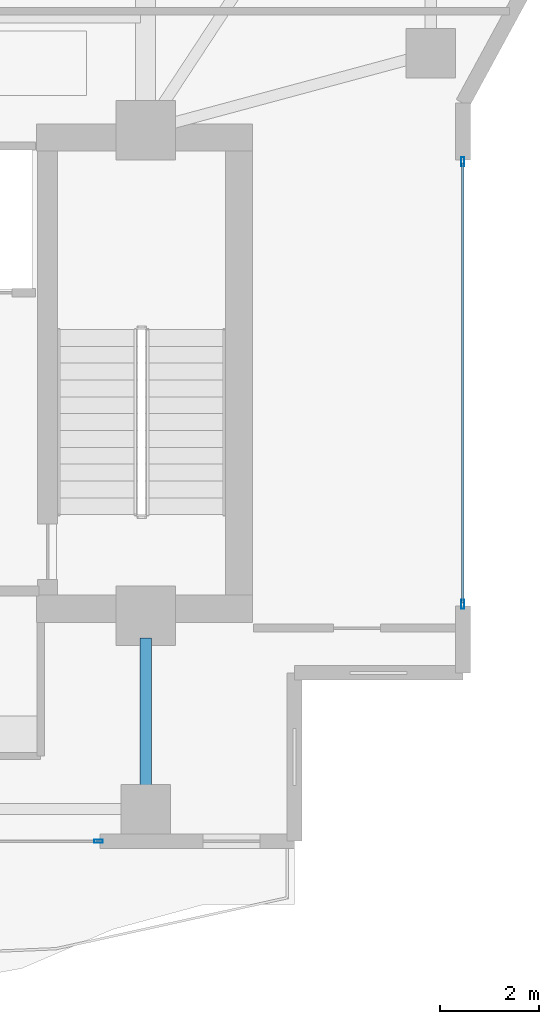
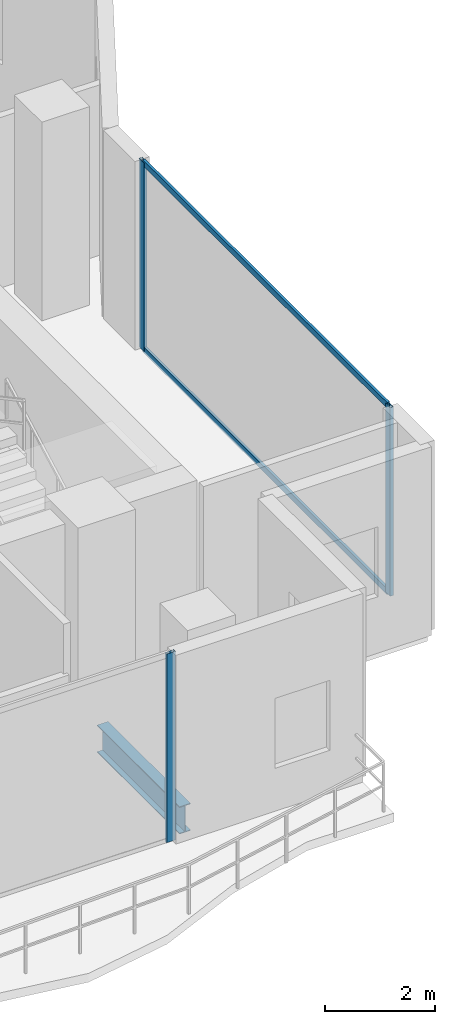
# One storey, part 8 of 24: 5 members, 1 beam, 2 elements without a shape of their own.
"""IFC4 building model written with IfcOpenShell, lengths in metres."""

from ifc_helpers import new_model, si_unit, direction, frame, origin, origin_2d, place, context, subcontext, project, spatial, hollow_rectangle, i_section, extrude, material, layer, layer_set, material_profile, profile_set, type_object, element, aggregate, save


model = new_model("IFC4")

# Units and contexts
model_context = context("Model", 3, precision=1e-05, world=origin(), true_north=direction((0.0, 1.0)))
body_context = subcontext(model_context, "Body", "Model", "MODEL_VIEW")
ifc_project = project(units=[si_unit("LENGTHUNIT", "METRE"), si_unit("AREAUNIT", "SQUARE_METRE"), si_unit("VOLUMEUNIT", "CUBIC_METRE"), si_unit("PLANEANGLEUNIT", "RADIAN"), si_unit("MASSUNIT", "GRAM", prefix="KILO")], contexts=[model_context])

# Site, building, storey
site_placement = place(None, origin())
site = spatial("IfcSite", under=ifc_project, at=site_placement, CompositionType="ELEMENT")
building_placement = place(site_placement, origin())
building = spatial("IfcBuilding", under=site, at=building_placement, Name="Zuhayl Quay Hotel", CompositionType="ELEMENT")
storey_placement = place(building_placement, frame((0.0, 0.0, 284.050048828125)))
storey = spatial("IfcBuildingStorey", under=building, at=storey_placement, Name="L72", CompositionType="ELEMENT", Elevation=284.050048828125)

# Beam
ifc_material_1 = material(Name="Steel ASTM A992 Grade 50", Category="steel")
ifc_material_profile_1 = material_profile(ifc_material_1, i_section(OverallWidth=0.22802734375, OverallDepth=0.60693359375, WebThickness=0.01123046875, FlangeThickness=0.017333984375, at=origin_2d()), Name="W24X76")
ifc_profile_set_1 = profile_set([ifc_material_profile_1], Name="Steel ASTM A992 Grade 50")
beam_type = type_object("IfcBeamType", Name="BM_B3_W24X76", PredefinedType="BEAM", material=ifc_profile_set_1)
beam_placement = place(storey_placement, frame((13.800048828125, 1.110107421875, -0.5234375), z_axis=(0.0, 1.0, 0.0), x_axis=(-1.0, 0.0, 0.0)))
element("IfcBeam", 1, at=beam_placement, inside=storey, type_object=beam_type, Name="L72 Floor Beam FG_S_L72_4", PredefinedType="BEAM", context=body_context, shape_type="SweptSolid", body=[
    extrude(i_section(OverallWidth=0.22802734375, OverallDepth=0.60693359375, WebThickness=0.01123046875, FlangeThickness=0.017333984375, at=origin_2d()), origin(), (0.0, 0.0, 1.0), 2.989990234375),
])

# Curtain wall, members
ifc_material_2 = material(Name="Anodised Aluminium 6063-T6", Category="aluminium")
ifc_layer = layer(ifc_material_2, 0.169921875, Name="Anodised Aluminium 6063-T6", Category="aluminium")
ifc_layer_set = layer_set([ifc_layer], Name="Anodised Aluminium 6063-T6")
curtain_wall_type = type_object("IfcCurtainWallType", Name="CW_SYS_Z4", PredefinedType="USERDEFINED", material=ifc_layer_set)
curtain_wall_1_placement = place(storey_placement, origin())
curtain_wall_1 = element("IfcCurtainWall", 2, at=curtain_wall_1_placement, inside=storey, type_object=curtain_wall_type, Name="L72 Curtain Wall ENV_L72_E14_CW1", ObjectType="UNITISED CURTAIN WALL", PredefinedType="USERDEFINED")
ifc_material_3 = material(Name="Black-anodised aluminium 6063-T6", Category="aluminium")
ifc_material_profile_2 = material_profile(ifc_material_3, hollow_rectangle(XDim=0.06494140625, YDim=0.179931640625, WallThickness=0.00341796875, at=origin_2d()), Name="ALU180X65")
ifc_profile_set_2 = profile_set([ifc_material_profile_2], Name="Black-anodised aluminium 6063-T6")
member_type_1 = type_object("IfcMemberType", Name="MB_CW_MUL_180", PredefinedType="MULLION", material=ifc_profile_set_2)
member_1_placement = place(storey_placement, frame((20.199951171875, 13.717529296875, 0.0), z_axis=(0.0, 0.0, 1.0), x_axis=(1.0, 0.0, 0.0)))
member_1 = element("IfcMember", 3, at=member_1_placement, type_object=member_type_1, Name="CW-Z4 mullion 1", PredefinedType="MULLION", context=body_context, shape_type="SweptSolid", body=[
    extrude(hollow_rectangle(XDim=0.06494140625, YDim=0.179931640625, WallThickness=0.00341796875, at=origin_2d()), origin(), (0.0, 0.0, 1.0), 4.179931640625),
])
member_2_placement = place(storey_placement, frame((20.199951171875, 4.782470703125, 0.0), z_axis=(0.0, 0.0, 1.0), x_axis=(1.0, 0.0, 0.0)))
member_2 = element("IfcMember", 4, at=member_2_placement, type_object=member_type_1, Name="CW-Z4 mullion 2", PredefinedType="MULLION", context=body_context, shape_type="SweptSolid", body=[
    extrude(hollow_rectangle(XDim=0.06494140625, YDim=0.179931640625, WallThickness=0.00341796875, at=origin_2d()), origin(), (0.0, 0.0, 1.0), 4.179931640625),
])

# Curtain wall, member
curtain_wall_2_placement = place(storey_placement, origin())
curtain_wall_2 = element("IfcCurtainWall", 5, at=curtain_wall_2_placement, inside=storey, type_object=curtain_wall_type, Name="L72 Curtain Wall ENV_L72_S_CW1", ObjectType="UNITISED CURTAIN WALL", PredefinedType="USERDEFINED")
member_3_placement = place(storey_placement, frame((12.847412109375, 0.0, 0.0), z_axis=(0.0, 0.0, 1.0), x_axis=(0.0, -1.0, 0.0)))
member_3 = element("IfcMember", 6, at=member_3_placement, type_object=member_type_1, Name="CW-Z4 mullion 1", PredefinedType="MULLION", context=body_context, shape_type="SweptSolid", body=[
    extrude(hollow_rectangle(XDim=0.06494140625, YDim=0.179931640625, WallThickness=0.00341796875, at=origin_2d()), origin(), (0.0, 0.0, 1.0), 4.179931640625),
])
aggregate(curtain_wall_2, [member_3])

# Member
ifc_material_profile_3 = material_profile(ifc_material_3, hollow_rectangle(XDim=0.054931640625, YDim=0.1298828125, WallThickness=0.0029296875, at=origin_2d()), Name="ALU130X55")
ifc_profile_set_3 = profile_set([ifc_material_profile_3], Name="Black-anodised aluminium 6063-T6")
member_type_2 = type_object("IfcMemberType", Name="MB_CW_TRN_130", PredefinedType="USERDEFINED", material=ifc_profile_set_3)
member_4_placement = place(storey_placement, frame((20.199951171875, 13.68505859375, 0.02734375), z_axis=(0.0, -1.0, 0.0), x_axis=(1.0, 0.0, 0.0)))
member_4 = element("IfcMember", 7, at=member_4_placement, type_object=member_type_2, Name="CW-Z4 transom 1.1", ObjectType="TRANSOM", PredefinedType="USERDEFINED", context=body_context, shape_type="SweptSolid", body=[
    extrude(hollow_rectangle(XDim=0.054931640625, YDim=0.1298828125, WallThickness=0.0029296875, at=origin_2d()), origin(), (0.0, 0.0, 1.0), 8.8701171875),
])

member_5_placement = place(storey_placement, frame((20.199951171875, 13.68505859375, 4.15234375), z_axis=(0.0, -1.0, 0.0), x_axis=(1.0, 0.0, 0.0)))
member_5 = element("IfcMember", 8, at=member_5_placement, type_object=member_type_2, Name="CW-Z4 transom 1.2", ObjectType="TRANSOM", PredefinedType="USERDEFINED", context=body_context, shape_type="SweptSolid", body=[
    extrude(hollow_rectangle(XDim=0.054931640625, YDim=0.1298828125, WallThickness=0.0029296875, at=origin_2d()), origin(), (0.0, 0.0, 1.0), 8.8701171875),
])

aggregate(curtain_wall_1, [member_1, member_2, member_4, member_5])

save(model, "model.ifc")
